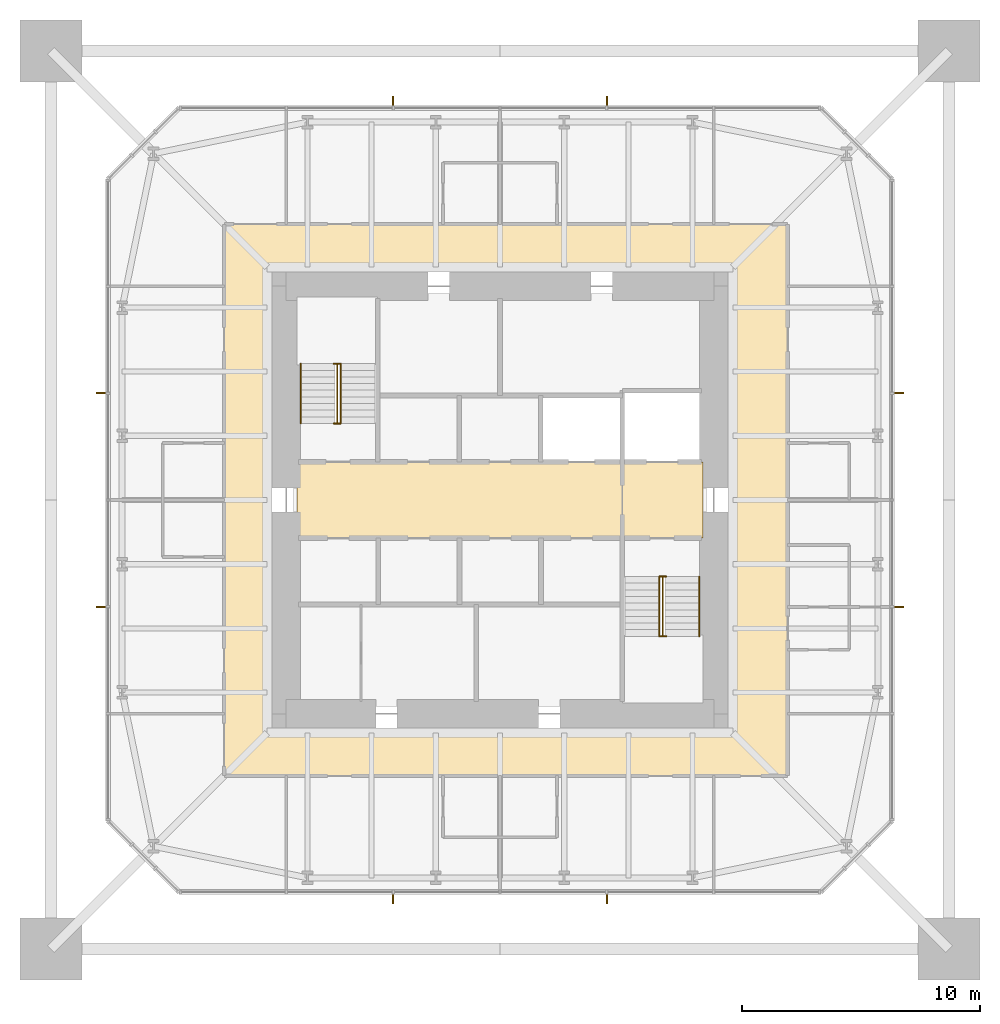
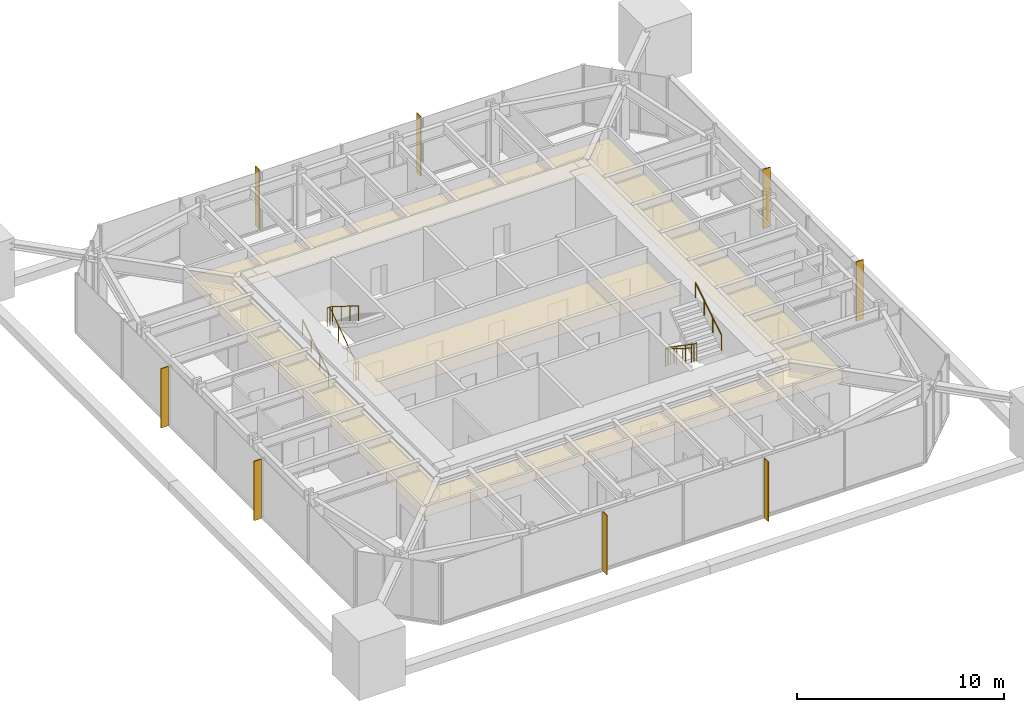
# One storey, part 10 of 10: 8 shading devices, 6 railings, 3 coverings.
"""IFC4 building model written with IfcOpenShell, lengths in metres."""

from ifc_helpers import new_model, si_unit, direction, frame, origin, origin_2d, place, context, subcontext, project, spatial, polyline, rectangle, circle, outline, extrude, material, layer, layer_set, constituent, constituent_set, type_object, element, save


model = new_model("IFC4")

# Units and contexts
model_context = context("Model", 3, precision=1e-05, world=origin(), true_north=direction((0.0, 1.0)))
body_context = subcontext(model_context, "Body", "Model", "MODEL_VIEW")
ifc_project = project(units=[si_unit("LENGTHUNIT", "METRE"), si_unit("AREAUNIT", "SQUARE_METRE"), si_unit("VOLUMEUNIT", "CUBIC_METRE"), si_unit("PLANEANGLEUNIT", "RADIAN"), si_unit("MASSUNIT", "GRAM", prefix="KILO")], contexts=[model_context])

# Site, building, storey
site_placement = place(None, origin())
site = spatial("IfcSite", under=ifc_project, at=site_placement, CompositionType="ELEMENT")
building_placement = place(site_placement, origin())
building = spatial("IfcBuilding", under=site, at=building_placement, Name="Iwan Alto Co-Living Towers", CompositionType="ELEMENT")
storey_placement = place(building_placement, frame((0.0, 0.0, 253.5)))
storey = spatial("IfcBuildingStorey", under=building, at=storey_placement, Name="L69", CompositionType="ELEMENT", Elevation=253.5)

# Coverings
ifc_material_1 = material(Name="Mineral fibre acoustic tiles on steel grid", Category="steel")
ifc_layer_1 = layer(ifc_material_1, 0.02001953125)
ifc_layer_set_1 = layer_set([ifc_layer_1], Name="ACOUSTIC TILE CEILING 20")
covering_type_1 = type_object("IfcCoveringType", Name="ACOUSTIC TILE CEILING 20", PredefinedType="CEILING", material=ifc_layer_set_1)
covering_1_placement = place(storey_placement, frame((0.0, 0.0, 2.60009765625)))
element("IfcCovering", 1, at=covering_1_placement, inside=storey, type_object=covering_type_1, Name="Ceiling Lift lobby L69", PredefinedType="CEILING", context=body_context, shape_type="SweptSolid", body=[
    extrude(outline(polyline([(-8.550048828125, -1.60009765625), (-8.550048828125, 1.60009765625), (5.14990234375, 1.60009765625), (5.14990234375, -1.60009765625), (-8.550048828125, -1.60009765625)])), origin(), (0.0, 0.0, 1.0), 0.02001953125),
])
covering_2_placement = place(storey_placement, frame((0.0, 0.0, 2.60009765625)))
element("IfcCovering", 2, at=covering_2_placement, inside=storey, type_object=covering_type_1, Name="Ceiling Firefighting lobby L69", PredefinedType="CEILING", context=body_context, shape_type="SweptSolid", body=[
    extrude(outline(polyline([(5.14990234375, -1.60009765625), (5.14990234375, 1.60009765625), (8.550048828125, 1.60009765625), (8.550048828125, -1.60009765625), (5.14990234375, -1.60009765625)])), origin(), (0.0, 0.0, 1.0), 0.02001953125),
])

# Shading devices
ifc_material_2 = material(Name="Aluminium 6063-T6 bronze anodised", Category="aluminium")
ifc_layer_2 = layer(ifc_material_2, 0.050048828125)
ifc_layer_set_2 = layer_set([ifc_layer_2], Name="BRONZE FIN 50X400")
shading_device_type = type_object("IfcShadingDeviceType", Name="BRONZE FIN 50X400", PredefinedType="USERDEFINED", material=ifc_layer_set_2)
for number, where, z_axis, x_axis, name in (
    (3, (-4.5, -16.800048828125, 0.0), (0.0, 0.0, 1.0), (1.0, 0.0, 0.0), "Bronze fin L69"),
    (4, (4.5, -16.800048828125, 0.0), (0.0, 0.0, 1.0), (1.0, 0.0, 0.0), "Bronze fin L69"),
    (5, (16.800048828125, -4.5, 0.0), (0.0, 0.0, 1.0), (0.0, 1.0, 0.0), "Bronze fin L69"),
    (6, (16.800048828125, 4.5, 0.0), (0.0, 0.0, 1.0), (0.0, 1.0, 0.0), "Bronze fin L69"),
    (7, (4.5, 16.800048828125, 0.0), (0.0, 0.0, 1.0), (-1.0, 0.0, 0.0), "Bronze fin L69"),
    (8, (-4.5, 16.800048828125, 0.0), (0.0, 0.0, 1.0), (-1.0, 0.0, 0.0), "Bronze fin L69"),
    (9, (-16.800048828125, 4.5, 0.0), (0.0, 0.0, 1.0), (0.0, -1.0, 0.0), "Bronze fin L69"),
    (10, (-16.800048828125, -4.5, 0.0), (0.0, 0.0, 1.0), (0.0, -1.0, 0.0), "Bronze fin L69"),
):
    element("IfcShadingDevice", number, at=place(storey_placement, frame(where, z_axis=z_axis, x_axis=x_axis)), inside=storey, type_object=shading_device_type, Name=name, ObjectType="LOUVER", PredefinedType="USERDEFINED", context=body_context, shape_type="SweptSolid", body=[
        extrude(rectangle(XDim=0.050048828125, YDim=0.39990234375, at=origin_2d()), origin(), (0.0, 0.0, 1.0), 3.5),
    ])

# Railings
ifc_material_3 = material(Name="Steel ASTM A500 Gr C", Category="steel")
ifc_constituent_1 = constituent(ifc_material_3, Name="Rails and posts", Category="Framing")
ifc_material_4 = material(Name="Steel ASTM A36", Category="steel")
ifc_constituent_2 = constituent(ifc_material_4, Name="Bar infill", Category="Infill")
ifc_constituent_set = constituent_set(constituents=[ifc_constituent_1, ifc_constituent_2], Name="STAIR GUARD 1100")
railing_type_1 = type_object("IfcRailingType", Name="STAIR GUARD 1100", PredefinedType="GUARDRAIL", material=ifc_constituent_set)
railing_1_placement = place(storey_placement, frame((-6.85009765625, 3.219970703125, 0.0)))
element("IfcRailing", 11, at=railing_1_placement, inside=storey, type_object=railing_type_1, Name="Stair T1-S1 well guard L69", PredefinedType="GUARDRAIL", context=body_context, shape_type="SweptSolid", body=[
    extrude(circle(Radius=0.02392578125, at=origin_2d()), frame((0.0, 0.0, 1.076171875), z_axis=(0.0, 0.821372036852, 0.570392826987), x_axis=(-1.0, 0.0, 0.0)), (0.0, 0.0, 1.0), 3.068115234375),
    extrude(circle(Radius=0.02392578125, at=origin_2d()), frame((-0.14990234375, 0.0, 1.076171875), z_axis=(1.0, 0.0, 0.0), x_axis=(0.0, 1.0, 0.0)), (0.0, 0.0, 1.0), 0.300048828125),
    extrude(circle(Radius=0.02392578125, at=origin_2d()), frame((-0.14990234375, 2.52001953125, 2.826171875), z_axis=(1.0, 0.0, 0.0), x_axis=(0.0, 1.0, 0.0)), (0.0, 0.0, 1.0), 0.300048828125),
    extrude(circle(Radius=0.02099609375, at=origin_2d()), origin(), (0.0, 0.0, 1.0), 1.052001953125),
    extrude(circle(Radius=0.02099609375, at=origin_2d()), frame((0.0, 0.840087890625, 0.583251953125)), (0.0, 0.0, 1.0), 1.052001953125),
    extrude(circle(Radius=0.02099609375, at=origin_2d()), frame((0.0, 1.679931640625, 1.166748046875)), (0.0, 0.0, 1.0), 1.052001953125),
    extrude(circle(Radius=0.02099609375, at=origin_2d()), frame((0.0, 2.52001953125, 1.75)), (0.0, 0.0, 1.0), 1.052001953125),
    extrude(circle(Radius=0.02099609375, at=origin_2d()), frame((-0.14990234375, 0.0, 0.0)), (0.0, 0.0, 1.0), 1.052001953125),
    extrude(circle(Radius=0.02099609375, at=origin_2d()), frame((0.150146484375, 0.0, 0.0)), (0.0, 0.0, 1.0), 1.052001953125),
    extrude(circle(Radius=0.02099609375, at=origin_2d()), frame((-0.14990234375, 2.52001953125, 1.75)), (0.0, 0.0, 1.0), 1.052001953125),
    extrude(circle(Radius=0.02099609375, at=origin_2d()), frame((0.150146484375, 2.52001953125, 1.75)), (0.0, 0.0, 1.0), 1.052001953125),
])
railing_2_placement = place(storey_placement, frame((6.85009765625, -3.219970703125, 0.0)))
element("IfcRailing", 12, at=railing_2_placement, inside=storey, type_object=railing_type_1, Name="Stair T1-S2 well guard L69", PredefinedType="GUARDRAIL", context=body_context, shape_type="SweptSolid", body=[
    extrude(circle(Radius=0.02392578125, at=origin_2d()), frame((0.0, 0.0, 1.076171875), z_axis=(0.0, -0.821372036852, 0.570392826987), x_axis=(1.0, 0.0, 0.0)), (0.0, 0.0, 1.0), 3.068115234375),
    extrude(circle(Radius=0.02392578125, at=origin_2d()), frame((-0.150146484375, 0.0, 1.076171875), z_axis=(1.0, 0.0, 0.0), x_axis=(0.0, 1.0, 0.0)), (0.0, 0.0, 1.0), 0.300048828125),
    extrude(circle(Radius=0.02392578125, at=origin_2d()), frame((-0.150146484375, -2.52001953125, 2.826171875), z_axis=(1.0, 0.0, 0.0), x_axis=(0.0, 1.0, 0.0)), (0.0, 0.0, 1.0), 0.300048828125),
    extrude(circle(Radius=0.02099609375, at=origin_2d()), origin(), (0.0, 0.0, 1.0), 1.052001953125),
    extrude(circle(Radius=0.02099609375, at=origin_2d()), frame((0.0, -0.840087890625, 0.583251953125)), (0.0, 0.0, 1.0), 1.052001953125),
    extrude(circle(Radius=0.02099609375, at=origin_2d()), frame((0.0, -1.679931640625, 1.166748046875)), (0.0, 0.0, 1.0), 1.052001953125),
    extrude(circle(Radius=0.02099609375, at=origin_2d()), frame((0.0, -2.52001953125, 1.75)), (0.0, 0.0, 1.0), 1.052001953125),
    extrude(circle(Radius=0.02099609375, at=origin_2d()), frame((-0.150146484375, 0.0, 0.0)), (0.0, 0.0, 1.0), 1.052001953125),
    extrude(circle(Radius=0.02099609375, at=origin_2d()), frame((0.14990234375, 0.0, 0.0)), (0.0, 0.0, 1.0), 1.052001953125),
    extrude(circle(Radius=0.02099609375, at=origin_2d()), frame((-0.150146484375, -2.52001953125, 1.75)), (0.0, 0.0, 1.0), 1.052001953125),
    extrude(circle(Radius=0.02099609375, at=origin_2d()), frame((0.14990234375, -2.52001953125, 1.75)), (0.0, 0.0, 1.0), 1.052001953125),
])
ifc_material_5 = material(Name="Steel ASTM A500 Gr C", Category="steel")
railing_type_2 = type_object("IfcRailingType", Name="STAIR HANDRAIL 900", PredefinedType="HANDRAIL", material=ifc_material_5)
railing_3_placement = place(storey_placement, frame((-8.3798828125, 3.219970703125, 0.175048828125)))
element("IfcRailing", 13, at=railing_3_placement, inside=storey, type_object=railing_type_2, Name="Stair T1-S1 handrail 1 L69", PredefinedType="HANDRAIL", context=body_context, shape_type="SweptSolid", body=[
    extrude(circle(Radius=0.02392578125, at=origin_2d()), frame((0.0, 0.0, 0.8759765625), z_axis=(0.0, 0.848007534815, 0.529984170421), x_axis=(-1.0, 0.0, 0.0)), (0.0, 0.0, 1.0), 2.9716796875),
    extrude(circle(Radius=0.02099609375, at=origin_2d()), origin(), (0.0, 0.0, 1.0), 0.851806640625),
    extrude(circle(Radius=0.02099609375, at=origin_2d()), frame((0.0, 0.840087890625, 0.52490234375)), (0.0, 0.0, 1.0), 0.851806640625),
    extrude(circle(Radius=0.02099609375, at=origin_2d()), frame((0.0, 1.679931640625, 1.050048828125)), (0.0, 0.0, 1.0), 0.851806640625),
    extrude(circle(Radius=0.02099609375, at=origin_2d()), frame((0.0, 2.52001953125, 1.574951171875)), (0.0, 0.0, 1.0), 0.851806640625),
])
for number, where, name in (
    (14, (-6.699951171875, 5.739990234375, 1.925048828125), "Stair T1-S1 handrail 2 L69"),
    (15, (6.699951171875, -3.219970703125, 0.175048828125), "Stair T1-S2 handrail 1 L69"),
):
    element("IfcRailing", number, at=place(storey_placement, frame(where)), inside=storey, type_object=railing_type_2, Name=name, PredefinedType="HANDRAIL", context=body_context, shape_type="SweptSolid", body=[
        extrude(circle(Radius=0.02392578125, at=origin_2d()), frame((0.0, 0.0, 0.8759765625), z_axis=(0.0, -0.848007534815, 0.529984170421), x_axis=(1.0, 0.0, 0.0)), (0.0, 0.0, 1.0), 2.9716796875),
        extrude(circle(Radius=0.02099609375, at=origin_2d()), origin(), (0.0, 0.0, 1.0), 0.851806640625),
        extrude(circle(Radius=0.02099609375, at=origin_2d()), frame((0.0, -0.840087890625, 0.52490234375)), (0.0, 0.0, 1.0), 0.851806640625),
        extrude(circle(Radius=0.02099609375, at=origin_2d()), frame((0.0, -1.679931640625, 1.050048828125)), (0.0, 0.0, 1.0), 0.851806640625),
        extrude(circle(Radius=0.02099609375, at=origin_2d()), frame((0.0, -2.52001953125, 1.574951171875)), (0.0, 0.0, 1.0), 0.851806640625),
    ])
railing_4_placement = place(storey_placement, frame((8.3798828125, -5.739990234375, 1.925048828125)))
element("IfcRailing", 16, at=railing_4_placement, inside=storey, type_object=railing_type_2, Name="Stair T1-S2 handrail 2 L69", PredefinedType="HANDRAIL", context=body_context, shape_type="SweptSolid", body=[
    extrude(circle(Radius=0.02392578125, at=origin_2d()), frame((0.0, 0.0, 0.8759765625), z_axis=(0.0, 0.848007534815, 0.529984170421), x_axis=(-1.0, 0.0, 0.0)), (0.0, 0.0, 1.0), 2.9716796875),
    extrude(circle(Radius=0.02099609375, at=origin_2d()), origin(), (0.0, 0.0, 1.0), 0.851806640625),
    extrude(circle(Radius=0.02099609375, at=origin_2d()), frame((0.0, 0.840087890625, 0.52490234375)), (0.0, 0.0, 1.0), 0.851806640625),
    extrude(circle(Radius=0.02099609375, at=origin_2d()), frame((0.0, 1.679931640625, 1.050048828125)), (0.0, 0.0, 1.0), 0.851806640625),
    extrude(circle(Radius=0.02099609375, at=origin_2d()), frame((0.0, 2.52001953125, 1.574951171875)), (0.0, 0.0, 1.0), 0.851806640625),
])

# Covering
ifc_material_6 = material(Name="Gypsum plasterboard on steel grid", Category="steel")
ifc_layer_3 = layer(ifc_material_6, 0.014892578125)
ifc_layer_set_3 = layer_set([ifc_layer_3], Name="SUSPENDED PLASTERBOARD CEILING 15")
covering_type_2 = type_object("IfcCoveringType", Name="SUSPENDED PLASTERBOARD CEILING 15", PredefinedType="CEILING", material=ifc_layer_set_3)
covering_3_placement = place(storey_placement, frame((0.0, 0.0, 2.60009765625)))
element("IfcCovering", 17, at=covering_3_placement, inside=storey, type_object=covering_type_2, Name="Ceiling Corridor L69", PredefinedType="CEILING", context=body_context, shape_type="SweptSolid", body=[
    extrude(outline(polyline([(-11.60009765625, 11.60009765625), (12.10009765625, 11.60009765625), (12.10009765625, -11.60009765625), (-11.60009765625, -11.60009765625), (-11.60009765625, 11.60009765625)]), holes=[polyline([(-9.60009765625, 9.60009765625), (-9.60009765625, -9.60009765625), (9.60009765625, -9.60009765625), (9.60009765625, 9.60009765625), (-9.60009765625, 9.60009765625)])]), origin(), (0.0, 0.0, 1.0), 0.014892578125),
])

save(model, "model.ifc")
